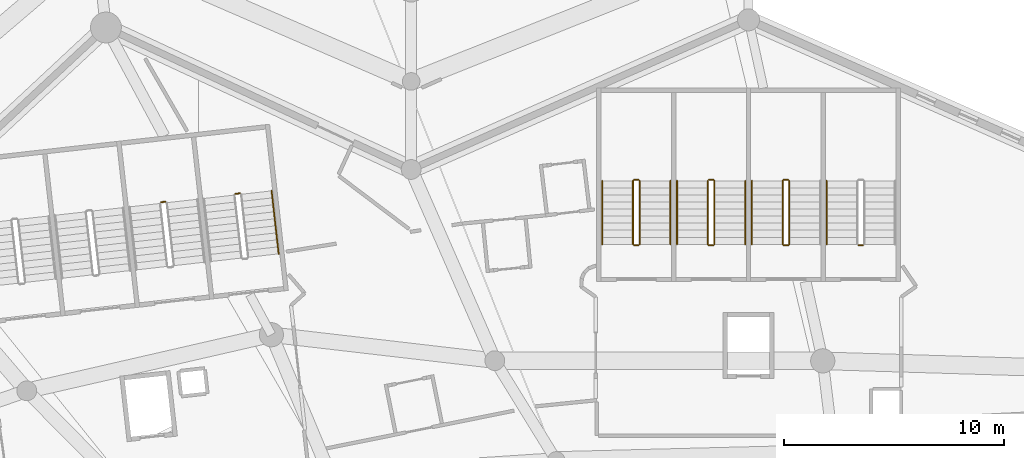
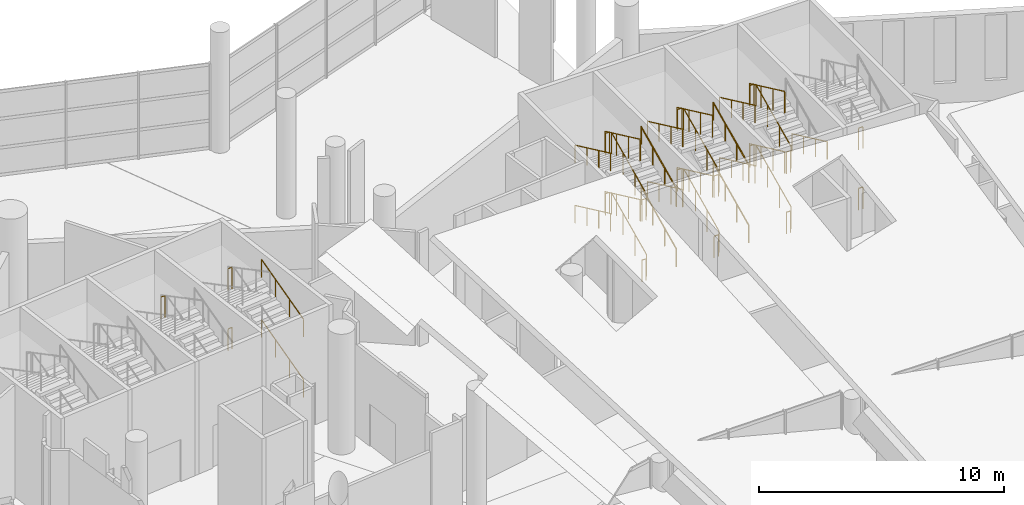
# One storey, part 237 of 249: 42 railings.
"""IFC4 building model written with IfcOpenShell, lengths in metres."""

from ifc_helpers import new_model, si_unit, direction, frame, origin, origin_2d, place, context, subcontext, project, spatial, circle, extrude, material, type_object, element, save


model = new_model("IFC4")

# Units and contexts
model_context = context("Model", 3, precision=1e-05, world=origin(), true_north=direction((0.0, 1.0)))
body_context = subcontext(model_context, "Body", "Model", "MODEL_VIEW")
ifc_project = project(units=[si_unit("LENGTHUNIT", "METRE"), si_unit("AREAUNIT", "SQUARE_METRE"), si_unit("VOLUMEUNIT", "CUBIC_METRE"), si_unit("PLANEANGLEUNIT", "RADIAN"), si_unit("MASSUNIT", "GRAM", prefix="KILO")], contexts=[model_context])

# Site, building, storey
site_placement = place(None, origin())
site = spatial("IfcSite", under=ifc_project, at=site_placement, CompositionType="ELEMENT")
building_placement = place(site_placement, origin())
building = spatial("IfcBuilding", under=site, at=building_placement, Name="Meseta Stadium", CompositionType="ELEMENT")
storey_placement = place(building_placement, frame((0.0, 0.0, 12.0)))
storey = spatial("IfcBuildingStorey", under=building, at=storey_placement, Name="L02", CompositionType="ELEMENT", Elevation=12.0)

# Railings
ifc_material_1 = material(Name="Steel S355", Category="steel")
railing_type_1 = type_object("IfcRailingType", Name="Stair guard 1100", PredefinedType="GUARDRAIL", material=ifc_material_1)
for number, where, name in (
    (1, (-17.800048828125, 95.14990234375, 3.0), "ST41 L02 guard 4"),
    (2, (-17.800048828125, 95.14990234375, 0.0), "ST41 L02 guard 8"),
):
    element("IfcRailing", number, at=place(storey_placement, frame(where)), inside=storey, type_object=railing_type_1, Name=name, PredefinedType="GUARDRAIL", context=body_context, shape_type="SweptSolid", body=[
        extrude(circle(Radius=0.02392578125, at=origin_2d()), frame((0.0, 0.0, 1.076171875), z_axis=(-1.0, 0.0, 0.0), x_axis=(0.0, -1.0, 0.0)), (0.0, 0.0, 1.0), 0.199951171875),
        extrude(circle(Radius=0.02099609375, at=origin_2d()), origin(), (0.0, 0.0, 1.0), 1.052001953125),
        extrude(circle(Radius=0.02099609375, at=origin_2d()), frame((-0.199951171875, 0.0, 0.0)), (0.0, 0.0, 1.0), 1.052001953125),
    ])
railing_1_placement = place(storey_placement, frame((-21.14990234375, 95.199951171875, 0.14990234375)))
element("IfcRailing", 3, at=railing_1_placement, inside=storey, type_object=railing_type_1, Name="ST42 L02 guard 1", PredefinedType="GUARDRAIL", context=body_context, shape_type="SweptSolid", body=[
    extrude(circle(Radius=0.02392578125, at=origin_2d()), frame((0.0, 0.0, 1.076171875), z_axis=(0.0, 0.905454327043, 0.424443708447), x_axis=(-1.0, 0.0, 0.0)), (0.0, 0.0, 1.0), 3.180908203125),
    extrude(circle(Radius=0.02099609375, at=origin_2d()), origin(), (0.0, 0.0, 1.0), 1.052001953125),
    extrude(circle(Radius=0.02099609375, at=origin_2d()), frame((0.0, 0.9599609375, 0.449951171875)), (0.0, 0.0, 1.0), 1.052001953125),
    extrude(circle(Radius=0.02099609375, at=origin_2d()), frame((0.0, 1.920166015625, 0.900146484375)), (0.0, 0.0, 1.0), 1.052001953125),
    extrude(circle(Radius=0.02099609375, at=origin_2d()), frame((0.0, 2.880126953125, 1.35009765625)), (0.0, 0.0, 1.0), 1.052001953125),
])
railing_2_placement = place(storey_placement, frame((-21.199951171875, 98.1298828125, 1.5)))
element("IfcRailing", 4, at=railing_2_placement, inside=storey, type_object=railing_type_1, Name="ST42 L02 guard 2", PredefinedType="GUARDRAIL", context=body_context, shape_type="SweptSolid", body=[
    extrude(circle(Radius=0.02392578125, at=origin_2d()), frame((0.0, 0.0, 1.076171875), z_axis=(-1.0, 0.0, 0.0), x_axis=(0.0, -1.0, 0.0)), (0.0, 0.0, 1.0), 0.199951171875),
    extrude(circle(Radius=0.02099609375, at=origin_2d()), origin(), (0.0, 0.0, 1.0), 1.052001953125),
    extrude(circle(Radius=0.02099609375, at=origin_2d()), frame((-0.199951171875, 0.0, 0.0)), (0.0, 0.0, 1.0), 1.052001953125),
])
railing_3_placement = place(storey_placement, frame((-21.449951171875, 98.080078125, 1.64990234375)))
element("IfcRailing", 5, at=railing_3_placement, inside=storey, type_object=railing_type_1, Name="ST42 L02 guard 3", PredefinedType="GUARDRAIL", context=body_context, shape_type="SweptSolid", body=[
    extrude(circle(Radius=0.02392578125, at=origin_2d()), frame((0.0, 0.0, 1.076171875), z_axis=(0.0, -0.905454327043, 0.424443708447), x_axis=(1.0, 0.0, 0.0)), (0.0, 0.0, 1.0), 3.180908203125),
    extrude(circle(Radius=0.02099609375, at=origin_2d()), origin(), (0.0, 0.0, 1.0), 1.052001953125),
    extrude(circle(Radius=0.02099609375, at=origin_2d()), frame((0.0, -0.9599609375, 0.449951171875)), (0.0, 0.0, 1.0), 1.052001953125),
    extrude(circle(Radius=0.02099609375, at=origin_2d()), frame((0.0, -1.920166015625, 0.900146484375)), (0.0, 0.0, 1.0), 1.052001953125),
    extrude(circle(Radius=0.02099609375, at=origin_2d()), frame((0.0, -2.880126953125, 1.35009765625)), (0.0, 0.0, 1.0), 1.052001953125),
])
railing_4_placement = place(storey_placement, frame((-21.199951171875, 95.14990234375, 3.0)))
element("IfcRailing", 6, at=railing_4_placement, inside=storey, type_object=railing_type_1, Name="ST42 L02 guard 4", PredefinedType="GUARDRAIL", context=body_context, shape_type="SweptSolid", body=[
    extrude(circle(Radius=0.02392578125, at=origin_2d()), frame((0.0, 0.0, 1.076171875), z_axis=(-1.0, 0.0, 0.0), x_axis=(0.0, -1.0, 0.0)), (0.0, 0.0, 1.0), 0.199951171875),
    extrude(circle(Radius=0.02099609375, at=origin_2d()), origin(), (0.0, 0.0, 1.0), 1.052001953125),
    extrude(circle(Radius=0.02099609375, at=origin_2d()), frame((-0.199951171875, 0.0, 0.0)), (0.0, 0.0, 1.0), 1.052001953125),
])
railing_5_placement = place(storey_placement, frame((-21.14990234375, 95.199951171875, 3.14990234375)))
element("IfcRailing", 7, at=railing_5_placement, inside=storey, type_object=railing_type_1, Name="ST42 L02 guard 5", PredefinedType="GUARDRAIL", context=body_context, shape_type="SweptSolid", body=[
    extrude(circle(Radius=0.02392578125, at=origin_2d()), frame((0.0, 0.0, 1.076171875), z_axis=(0.0, 0.905454327043, 0.424443708447), x_axis=(-1.0, 0.0, 0.0)), (0.0, 0.0, 1.0), 3.180908203125),
    extrude(circle(Radius=0.02099609375, at=origin_2d()), origin(), (0.0, 0.0, 1.0), 1.052001953125),
    extrude(circle(Radius=0.02099609375, at=origin_2d()), frame((0.0, 0.9599609375, 0.449951171875)), (0.0, 0.0, 1.0), 1.052001953125),
    extrude(circle(Radius=0.02099609375, at=origin_2d()), frame((0.0, 1.920166015625, 0.900146484375)), (0.0, 0.0, 1.0), 1.052001953125),
    extrude(circle(Radius=0.02099609375, at=origin_2d()), frame((0.0, 2.880126953125, 1.35009765625)), (0.0, 0.0, 1.0), 1.052001953125),
])
railing_6_placement = place(storey_placement, frame((-21.199951171875, 98.1298828125, 4.5)))
element("IfcRailing", 8, at=railing_6_placement, inside=storey, type_object=railing_type_1, Name="ST42 L02 guard 6", PredefinedType="GUARDRAIL", context=body_context, shape_type="SweptSolid", body=[
    extrude(circle(Radius=0.02392578125, at=origin_2d()), frame((0.0, 0.0, 1.076171875), z_axis=(-1.0, 0.0, 0.0), x_axis=(0.0, -1.0, 0.0)), (0.0, 0.0, 1.0), 0.199951171875),
    extrude(circle(Radius=0.02099609375, at=origin_2d()), origin(), (0.0, 0.0, 1.0), 1.052001953125),
    extrude(circle(Radius=0.02099609375, at=origin_2d()), frame((-0.199951171875, 0.0, 0.0)), (0.0, 0.0, 1.0), 1.052001953125),
])
railing_7_placement = place(storey_placement, frame((-21.449951171875, 98.080078125, 4.64990234375)))
element("IfcRailing", 9, at=railing_7_placement, inside=storey, type_object=railing_type_1, Name="ST42 L02 guard 7", PredefinedType="GUARDRAIL", context=body_context, shape_type="SweptSolid", body=[
    extrude(circle(Radius=0.02392578125, at=origin_2d()), frame((0.0, 0.0, 1.076171875), z_axis=(0.0, -0.905454327043, 0.424443708447), x_axis=(1.0, 0.0, 0.0)), (0.0, 0.0, 1.0), 3.180908203125),
    extrude(circle(Radius=0.02099609375, at=origin_2d()), origin(), (0.0, 0.0, 1.0), 1.052001953125),
    extrude(circle(Radius=0.02099609375, at=origin_2d()), frame((0.0, -0.9599609375, 0.449951171875)), (0.0, 0.0, 1.0), 1.052001953125),
    extrude(circle(Radius=0.02099609375, at=origin_2d()), frame((0.0, -1.920166015625, 0.900146484375)), (0.0, 0.0, 1.0), 1.052001953125),
    extrude(circle(Radius=0.02099609375, at=origin_2d()), frame((0.0, -2.880126953125, 1.35009765625)), (0.0, 0.0, 1.0), 1.052001953125),
])
railing_8_placement = place(storey_placement, frame((-21.199951171875, 95.14990234375, 0.0)))
element("IfcRailing", 10, at=railing_8_placement, inside=storey, type_object=railing_type_1, Name="ST42 L02 guard 8", PredefinedType="GUARDRAIL", context=body_context, shape_type="SweptSolid", body=[
    extrude(circle(Radius=0.02392578125, at=origin_2d()), frame((0.0, 0.0, 1.076171875), z_axis=(-1.0, 0.0, 0.0), x_axis=(0.0, -1.0, 0.0)), (0.0, 0.0, 1.0), 0.199951171875),
    extrude(circle(Radius=0.02099609375, at=origin_2d()), origin(), (0.0, 0.0, 1.0), 1.052001953125),
    extrude(circle(Radius=0.02099609375, at=origin_2d()), frame((-0.199951171875, 0.0, 0.0)), (0.0, 0.0, 1.0), 1.052001953125),
])
railing_9_placement = place(storey_placement, frame((-24.550048828125, 95.199951171875, 0.14990234375)))
element("IfcRailing", 11, at=railing_9_placement, inside=storey, type_object=railing_type_1, Name="ST43 L02 guard 1", PredefinedType="GUARDRAIL", context=body_context, shape_type="SweptSolid", body=[
    extrude(circle(Radius=0.02392578125, at=origin_2d()), frame((0.0, 0.0, 1.076171875), z_axis=(0.0, 0.905454327043, 0.424443708447), x_axis=(-1.0, 0.0, 0.0)), (0.0, 0.0, 1.0), 3.180908203125),
    extrude(circle(Radius=0.02099609375, at=origin_2d()), origin(), (0.0, 0.0, 1.0), 1.052001953125),
    extrude(circle(Radius=0.02099609375, at=origin_2d()), frame((0.0, 0.9599609375, 0.449951171875)), (0.0, 0.0, 1.0), 1.052001953125),
    extrude(circle(Radius=0.02099609375, at=origin_2d()), frame((0.0, 1.920166015625, 0.900146484375)), (0.0, 0.0, 1.0), 1.052001953125),
    extrude(circle(Radius=0.02099609375, at=origin_2d()), frame((0.0, 2.880126953125, 1.35009765625)), (0.0, 0.0, 1.0), 1.052001953125),
])
railing_10_placement = place(storey_placement, frame((-24.60009765625, 98.1298828125, 1.5)))
element("IfcRailing", 12, at=railing_10_placement, inside=storey, type_object=railing_type_1, Name="ST43 L02 guard 2", PredefinedType="GUARDRAIL", context=body_context, shape_type="SweptSolid", body=[
    extrude(circle(Radius=0.02392578125, at=origin_2d()), frame((0.0, 0.0, 1.076171875), z_axis=(-1.0, 0.0, 0.0), x_axis=(0.0, -1.0, 0.0)), (0.0, 0.0, 1.0), 0.199951171875),
    extrude(circle(Radius=0.02099609375, at=origin_2d()), origin(), (0.0, 0.0, 1.0), 1.052001953125),
    extrude(circle(Radius=0.02099609375, at=origin_2d()), frame((-0.199951171875, 0.0, 0.0)), (0.0, 0.0, 1.0), 1.052001953125),
])
railing_11_placement = place(storey_placement, frame((-24.85009765625, 98.080078125, 1.64990234375)))
element("IfcRailing", 13, at=railing_11_placement, inside=storey, type_object=railing_type_1, Name="ST43 L02 guard 3", PredefinedType="GUARDRAIL", context=body_context, shape_type="SweptSolid", body=[
    extrude(circle(Radius=0.02392578125, at=origin_2d()), frame((0.0, 0.0, 1.076171875), z_axis=(0.0, -0.905454327043, 0.424443708447), x_axis=(1.0, 0.0, 0.0)), (0.0, 0.0, 1.0), 3.180908203125),
    extrude(circle(Radius=0.02099609375, at=origin_2d()), origin(), (0.0, 0.0, 1.0), 1.052001953125),
    extrude(circle(Radius=0.02099609375, at=origin_2d()), frame((0.0, -0.9599609375, 0.449951171875)), (0.0, 0.0, 1.0), 1.052001953125),
    extrude(circle(Radius=0.02099609375, at=origin_2d()), frame((0.0, -1.920166015625, 0.900146484375)), (0.0, 0.0, 1.0), 1.052001953125),
    extrude(circle(Radius=0.02099609375, at=origin_2d()), frame((0.0, -2.880126953125, 1.35009765625)), (0.0, 0.0, 1.0), 1.052001953125),
])
railing_12_placement = place(storey_placement, frame((-24.60009765625, 95.14990234375, 3.0)))
element("IfcRailing", 14, at=railing_12_placement, inside=storey, type_object=railing_type_1, Name="ST43 L02 guard 4", PredefinedType="GUARDRAIL", context=body_context, shape_type="SweptSolid", body=[
    extrude(circle(Radius=0.02392578125, at=origin_2d()), frame((0.0, 0.0, 1.076171875), z_axis=(-1.0, 0.0, 0.0), x_axis=(0.0, -1.0, 0.0)), (0.0, 0.0, 1.0), 0.199951171875),
    extrude(circle(Radius=0.02099609375, at=origin_2d()), origin(), (0.0, 0.0, 1.0), 1.052001953125),
    extrude(circle(Radius=0.02099609375, at=origin_2d()), frame((-0.199951171875, 0.0, 0.0)), (0.0, 0.0, 1.0), 1.052001953125),
])
railing_13_placement = place(storey_placement, frame((-24.550048828125, 95.199951171875, 3.14990234375)))
element("IfcRailing", 15, at=railing_13_placement, inside=storey, type_object=railing_type_1, Name="ST43 L02 guard 5", PredefinedType="GUARDRAIL", context=body_context, shape_type="SweptSolid", body=[
    extrude(circle(Radius=0.02392578125, at=origin_2d()), frame((0.0, 0.0, 1.076171875), z_axis=(0.0, 0.905454327043, 0.424443708447), x_axis=(-1.0, 0.0, 0.0)), (0.0, 0.0, 1.0), 3.180908203125),
    extrude(circle(Radius=0.02099609375, at=origin_2d()), origin(), (0.0, 0.0, 1.0), 1.052001953125),
    extrude(circle(Radius=0.02099609375, at=origin_2d()), frame((0.0, 0.9599609375, 0.449951171875)), (0.0, 0.0, 1.0), 1.052001953125),
    extrude(circle(Radius=0.02099609375, at=origin_2d()), frame((0.0, 1.920166015625, 0.900146484375)), (0.0, 0.0, 1.0), 1.052001953125),
    extrude(circle(Radius=0.02099609375, at=origin_2d()), frame((0.0, 2.880126953125, 1.35009765625)), (0.0, 0.0, 1.0), 1.052001953125),
])
railing_14_placement = place(storey_placement, frame((-24.60009765625, 98.1298828125, 4.5)))
element("IfcRailing", 16, at=railing_14_placement, inside=storey, type_object=railing_type_1, Name="ST43 L02 guard 6", PredefinedType="GUARDRAIL", context=body_context, shape_type="SweptSolid", body=[
    extrude(circle(Radius=0.02392578125, at=origin_2d()), frame((0.0, 0.0, 1.076171875), z_axis=(-1.0, 0.0, 0.0), x_axis=(0.0, -1.0, 0.0)), (0.0, 0.0, 1.0), 0.199951171875),
    extrude(circle(Radius=0.02099609375, at=origin_2d()), origin(), (0.0, 0.0, 1.0), 1.052001953125),
    extrude(circle(Radius=0.02099609375, at=origin_2d()), frame((-0.199951171875, 0.0, 0.0)), (0.0, 0.0, 1.0), 1.052001953125),
])
railing_15_placement = place(storey_placement, frame((-24.85009765625, 98.080078125, 4.64990234375)))
element("IfcRailing", 17, at=railing_15_placement, inside=storey, type_object=railing_type_1, Name="ST43 L02 guard 7", PredefinedType="GUARDRAIL", context=body_context, shape_type="SweptSolid", body=[
    extrude(circle(Radius=0.02392578125, at=origin_2d()), frame((0.0, 0.0, 1.076171875), z_axis=(0.0, -0.905454327043, 0.424443708447), x_axis=(1.0, 0.0, 0.0)), (0.0, 0.0, 1.0), 3.180908203125),
    extrude(circle(Radius=0.02099609375, at=origin_2d()), origin(), (0.0, 0.0, 1.0), 1.052001953125),
    extrude(circle(Radius=0.02099609375, at=origin_2d()), frame((0.0, -0.9599609375, 0.449951171875)), (0.0, 0.0, 1.0), 1.052001953125),
    extrude(circle(Radius=0.02099609375, at=origin_2d()), frame((0.0, -1.920166015625, 0.900146484375)), (0.0, 0.0, 1.0), 1.052001953125),
    extrude(circle(Radius=0.02099609375, at=origin_2d()), frame((0.0, -2.880126953125, 1.35009765625)), (0.0, 0.0, 1.0), 1.052001953125),
])
railing_16_placement = place(storey_placement, frame((-24.60009765625, 95.14990234375, 0.0)))
element("IfcRailing", 18, at=railing_16_placement, inside=storey, type_object=railing_type_1, Name="ST43 L02 guard 8", PredefinedType="GUARDRAIL", context=body_context, shape_type="SweptSolid", body=[
    extrude(circle(Radius=0.02392578125, at=origin_2d()), frame((0.0, 0.0, 1.076171875), z_axis=(-1.0, 0.0, 0.0), x_axis=(0.0, -1.0, 0.0)), (0.0, 0.0, 1.0), 0.199951171875),
    extrude(circle(Radius=0.02099609375, at=origin_2d()), origin(), (0.0, 0.0, 1.0), 1.052001953125),
    extrude(circle(Radius=0.02099609375, at=origin_2d()), frame((-0.199951171875, 0.0, 0.0)), (0.0, 0.0, 1.0), 1.052001953125),
])
railing_17_placement = place(storey_placement, frame((-27.949951171875, 95.199951171875, 0.14990234375)))
element("IfcRailing", 19, at=railing_17_placement, inside=storey, type_object=railing_type_1, Name="ST44 L02 guard 1", PredefinedType="GUARDRAIL", context=body_context, shape_type="SweptSolid", body=[
    extrude(circle(Radius=0.02392578125, at=origin_2d()), frame((0.0, 0.0, 1.076171875), z_axis=(0.0, 0.905454327043, 0.424443708447), x_axis=(-1.0, 0.0, 0.0)), (0.0, 0.0, 1.0), 3.180908203125),
    extrude(circle(Radius=0.02099609375, at=origin_2d()), origin(), (0.0, 0.0, 1.0), 1.052001953125),
    extrude(circle(Radius=0.02099609375, at=origin_2d()), frame((0.0, 0.9599609375, 0.449951171875)), (0.0, 0.0, 1.0), 1.052001953125),
    extrude(circle(Radius=0.02099609375, at=origin_2d()), frame((0.0, 1.920166015625, 0.900146484375)), (0.0, 0.0, 1.0), 1.052001953125),
    extrude(circle(Radius=0.02099609375, at=origin_2d()), frame((0.0, 2.880126953125, 1.35009765625)), (0.0, 0.0, 1.0), 1.052001953125),
])
railing_18_placement = place(storey_placement, frame((-28.0, 98.1298828125, 1.5)))
element("IfcRailing", 20, at=railing_18_placement, inside=storey, type_object=railing_type_1, Name="ST44 L02 guard 2", PredefinedType="GUARDRAIL", context=body_context, shape_type="SweptSolid", body=[
    extrude(circle(Radius=0.02392578125, at=origin_2d()), frame((0.0, 0.0, 1.076171875), z_axis=(-1.0, 0.0, 0.0), x_axis=(0.0, -1.0, 0.0)), (0.0, 0.0, 1.0), 0.199951171875),
    extrude(circle(Radius=0.02099609375, at=origin_2d()), origin(), (0.0, 0.0, 1.0), 1.052001953125),
    extrude(circle(Radius=0.02099609375, at=origin_2d()), frame((-0.199951171875, 0.0, 0.0)), (0.0, 0.0, 1.0), 1.052001953125),
])
railing_19_placement = place(storey_placement, frame((-28.25, 98.080078125, 1.64990234375)))
element("IfcRailing", 21, at=railing_19_placement, inside=storey, type_object=railing_type_1, Name="ST44 L02 guard 3", PredefinedType="GUARDRAIL", context=body_context, shape_type="SweptSolid", body=[
    extrude(circle(Radius=0.02392578125, at=origin_2d()), frame((0.0, 0.0, 1.076171875), z_axis=(0.0, -0.905454327043, 0.424443708447), x_axis=(1.0, 0.0, 0.0)), (0.0, 0.0, 1.0), 3.180908203125),
    extrude(circle(Radius=0.02099609375, at=origin_2d()), origin(), (0.0, 0.0, 1.0), 1.052001953125),
    extrude(circle(Radius=0.02099609375, at=origin_2d()), frame((0.0, -0.9599609375, 0.449951171875)), (0.0, 0.0, 1.0), 1.052001953125),
    extrude(circle(Radius=0.02099609375, at=origin_2d()), frame((0.0, -1.920166015625, 0.900146484375)), (0.0, 0.0, 1.0), 1.052001953125),
    extrude(circle(Radius=0.02099609375, at=origin_2d()), frame((0.0, -2.880126953125, 1.35009765625)), (0.0, 0.0, 1.0), 1.052001953125),
])
railing_20_placement = place(storey_placement, frame((-28.0, 95.14990234375, 3.0)))
element("IfcRailing", 22, at=railing_20_placement, inside=storey, type_object=railing_type_1, Name="ST44 L02 guard 4", PredefinedType="GUARDRAIL", context=body_context, shape_type="SweptSolid", body=[
    extrude(circle(Radius=0.02392578125, at=origin_2d()), frame((0.0, 0.0, 1.076171875), z_axis=(-1.0, 0.0, 0.0), x_axis=(0.0, -1.0, 0.0)), (0.0, 0.0, 1.0), 0.199951171875),
    extrude(circle(Radius=0.02099609375, at=origin_2d()), origin(), (0.0, 0.0, 1.0), 1.052001953125),
    extrude(circle(Radius=0.02099609375, at=origin_2d()), frame((-0.199951171875, 0.0, 0.0)), (0.0, 0.0, 1.0), 1.052001953125),
])
railing_21_placement = place(storey_placement, frame((-27.949951171875, 95.199951171875, 3.14990234375)))
element("IfcRailing", 23, at=railing_21_placement, inside=storey, type_object=railing_type_1, Name="ST44 L02 guard 5", PredefinedType="GUARDRAIL", context=body_context, shape_type="SweptSolid", body=[
    extrude(circle(Radius=0.02392578125, at=origin_2d()), frame((0.0, 0.0, 1.076171875), z_axis=(0.0, 0.905454327043, 0.424443708447), x_axis=(-1.0, 0.0, 0.0)), (0.0, 0.0, 1.0), 3.180908203125),
    extrude(circle(Radius=0.02099609375, at=origin_2d()), origin(), (0.0, 0.0, 1.0), 1.052001953125),
    extrude(circle(Radius=0.02099609375, at=origin_2d()), frame((0.0, 0.9599609375, 0.449951171875)), (0.0, 0.0, 1.0), 1.052001953125),
    extrude(circle(Radius=0.02099609375, at=origin_2d()), frame((0.0, 1.920166015625, 0.900146484375)), (0.0, 0.0, 1.0), 1.052001953125),
    extrude(circle(Radius=0.02099609375, at=origin_2d()), frame((0.0, 2.880126953125, 1.35009765625)), (0.0, 0.0, 1.0), 1.052001953125),
])
railing_22_placement = place(storey_placement, frame((-28.0, 98.1298828125, 4.5)))
element("IfcRailing", 24, at=railing_22_placement, inside=storey, type_object=railing_type_1, Name="ST44 L02 guard 6", PredefinedType="GUARDRAIL", context=body_context, shape_type="SweptSolid", body=[
    extrude(circle(Radius=0.02392578125, at=origin_2d()), frame((0.0, 0.0, 1.076171875), z_axis=(-1.0, 0.0, 0.0), x_axis=(0.0, -1.0, 0.0)), (0.0, 0.0, 1.0), 0.199951171875),
    extrude(circle(Radius=0.02099609375, at=origin_2d()), origin(), (0.0, 0.0, 1.0), 1.052001953125),
    extrude(circle(Radius=0.02099609375, at=origin_2d()), frame((-0.199951171875, 0.0, 0.0)), (0.0, 0.0, 1.0), 1.052001953125),
])
railing_23_placement = place(storey_placement, frame((-28.25, 98.080078125, 4.64990234375)))
element("IfcRailing", 25, at=railing_23_placement, inside=storey, type_object=railing_type_1, Name="ST44 L02 guard 7", PredefinedType="GUARDRAIL", context=body_context, shape_type="SweptSolid", body=[
    extrude(circle(Radius=0.02392578125, at=origin_2d()), frame((0.0, 0.0, 1.076171875), z_axis=(0.0, -0.905454327043, 0.424443708447), x_axis=(1.0, 0.0, 0.0)), (0.0, 0.0, 1.0), 3.180908203125),
    extrude(circle(Radius=0.02099609375, at=origin_2d()), origin(), (0.0, 0.0, 1.0), 1.052001953125),
    extrude(circle(Radius=0.02099609375, at=origin_2d()), frame((0.0, -0.9599609375, 0.449951171875)), (0.0, 0.0, 1.0), 1.052001953125),
    extrude(circle(Radius=0.02099609375, at=origin_2d()), frame((0.0, -1.920166015625, 0.900146484375)), (0.0, 0.0, 1.0), 1.052001953125),
    extrude(circle(Radius=0.02099609375, at=origin_2d()), frame((0.0, -2.880126953125, 1.35009765625)), (0.0, 0.0, 1.0), 1.052001953125),
])
railing_24_placement = place(storey_placement, frame((-28.0, 95.14990234375, 0.0)))
element("IfcRailing", 26, at=railing_24_placement, inside=storey, type_object=railing_type_1, Name="ST44 L02 guard 8", PredefinedType="GUARDRAIL", context=body_context, shape_type="SweptSolid", body=[
    extrude(circle(Radius=0.02392578125, at=origin_2d()), frame((0.0, 0.0, 1.076171875), z_axis=(-1.0, 0.0, 0.0), x_axis=(0.0, -1.0, 0.0)), (0.0, 0.0, 1.0), 0.199951171875),
    extrude(circle(Radius=0.02099609375, at=origin_2d()), origin(), (0.0, 0.0, 1.0), 1.052001953125),
    extrude(circle(Radius=0.02099609375, at=origin_2d()), frame((-0.199951171875, 0.0, 0.0)), (0.0, 0.0, 1.0), 1.052001953125),
])
for number, where, name in (
    (27, (-46.120849609375, 97.51513671875, 1.5), "ST45 L02 guard 2"),
    (28, (-46.120849609375, 97.51513671875, 4.5), "ST45 L02 guard 6"),
):
    element("IfcRailing", number, at=place(storey_placement, frame(where)), inside=storey, type_object=railing_type_1, Name=name, PredefinedType="GUARDRAIL", context=body_context, shape_type="SweptSolid", body=[
        extrude(circle(Radius=0.02392578125, at=origin_2d()), frame((0.0, 0.0, 1.076171875), z_axis=(-0.993809063983, -0.111101504696, 0.0), x_axis=(0.111101504696, -0.993809063983, 0.0)), (0.0, 0.0, 1.0), 0.199951171875),
        extrude(circle(Radius=0.02099609375, at=origin_2d()), origin(), (0.0, 0.0, 1.0), 1.052001953125),
        extrude(circle(Radius=0.02099609375, at=origin_2d()), frame((-0.19873046875, -0.022216796875, 0.0)), (0.0, 0.0, 1.0), 1.052001953125),
    ])
railing_25_placement = place(storey_placement, frame((-49.49951171875, 97.134521484375, 4.5)))
element("IfcRailing", 29, at=railing_25_placement, inside=storey, type_object=railing_type_1, Name="ST46 L02 guard 6", PredefinedType="GUARDRAIL", context=body_context, shape_type="SweptSolid", body=[
    extrude(circle(Radius=0.02392578125, at=origin_2d()), frame((0.0, 0.0, 1.076171875), z_axis=(-0.993673547442, -0.112307083986, 0.0), x_axis=(0.112307083986, -0.993673547442, 0.0)), (0.0, 0.0, 1.0), 0.199951171875),
    extrude(circle(Radius=0.02099609375, at=origin_2d()), origin(), (0.0, 0.0, 1.0), 1.052001953125),
    extrude(circle(Radius=0.02099609375, at=origin_2d()), frame((-0.19873046875, -0.0224609375, 0.0)), (0.0, 0.0, 1.0), 1.052001953125),
])
ifc_material_2 = material(Name="Steel S355", Category="steel")
railing_type_2 = type_object("IfcRailingType", Name="Stair handrail 900", PredefinedType="HANDRAIL", material=ifc_material_2)
for number, where, name in (
    (30, (-19.449951171875, 98.080078125, 1.64990234375), "ST41 L02 handrail 2"),
    (31, (-22.85009765625, 98.080078125, 1.64990234375), "ST42 L02 handrail 2"),
    (32, (-22.85009765625, 98.080078125, 4.64990234375), "ST42 L02 handrail 4"),
):
    element("IfcRailing", number, at=place(storey_placement, frame(where)), inside=storey, type_object=railing_type_2, Name=name, PredefinedType="HANDRAIL", context=body_context, shape_type="SweptSolid", body=[
        extrude(circle(Radius=0.02392578125, at=origin_2d()), frame((0.0, 0.0, 0.8759765625), z_axis=(0.0, -0.905454327043, 0.424443708447), x_axis=(1.0, 0.0, 0.0)), (0.0, 0.0, 1.0), 3.180908203125),
        extrude(circle(Radius=0.02099609375, at=origin_2d()), origin(), (0.0, 0.0, 1.0), 0.851806640625),
        extrude(circle(Radius=0.02099609375, at=origin_2d()), frame((0.0, -0.9599609375, 0.449951171875)), (0.0, 0.0, 1.0), 0.851806640625),
        extrude(circle(Radius=0.02099609375, at=origin_2d()), frame((0.0, -1.920166015625, 0.900146484375)), (0.0, 0.0, 1.0), 0.851806640625),
        extrude(circle(Radius=0.02099609375, at=origin_2d()), frame((0.0, -2.880126953125, 1.35009765625)), (0.0, 0.0, 1.0), 0.851806640625),
    ])
railing_26_placement = place(storey_placement, frame((-23.14990234375, 95.199951171875, 0.14990234375)))
element("IfcRailing", 33, at=railing_26_placement, inside=storey, type_object=railing_type_2, Name="ST43 L02 handrail 1", PredefinedType="HANDRAIL", context=body_context, shape_type="SweptSolid", body=[
    extrude(circle(Radius=0.02392578125, at=origin_2d()), frame((0.0, 0.0, 0.8759765625), z_axis=(0.0, 0.905454327043, 0.424443708447), x_axis=(-1.0, 0.0, 0.0)), (0.0, 0.0, 1.0), 3.180908203125),
    extrude(circle(Radius=0.02099609375, at=origin_2d()), origin(), (0.0, 0.0, 1.0), 0.851806640625),
    extrude(circle(Radius=0.02099609375, at=origin_2d()), frame((0.0, 0.9599609375, 0.449951171875)), (0.0, 0.0, 1.0), 0.851806640625),
    extrude(circle(Radius=0.02099609375, at=origin_2d()), frame((0.0, 1.920166015625, 0.900146484375)), (0.0, 0.0, 1.0), 0.851806640625),
    extrude(circle(Radius=0.02099609375, at=origin_2d()), frame((0.0, 2.880126953125, 1.35009765625)), (0.0, 0.0, 1.0), 0.851806640625),
])
railing_27_placement = place(storey_placement, frame((-26.25, 98.080078125, 1.64990234375)))
element("IfcRailing", 34, at=railing_27_placement, inside=storey, type_object=railing_type_2, Name="ST43 L02 handrail 2", PredefinedType="HANDRAIL", context=body_context, shape_type="SweptSolid", body=[
    extrude(circle(Radius=0.02392578125, at=origin_2d()), frame((0.0, 0.0, 0.8759765625), z_axis=(0.0, -0.905454327043, 0.424443708447), x_axis=(1.0, 0.0, 0.0)), (0.0, 0.0, 1.0), 3.180908203125),
    extrude(circle(Radius=0.02099609375, at=origin_2d()), origin(), (0.0, 0.0, 1.0), 0.851806640625),
    extrude(circle(Radius=0.02099609375, at=origin_2d()), frame((0.0, -0.9599609375, 0.449951171875)), (0.0, 0.0, 1.0), 0.851806640625),
    extrude(circle(Radius=0.02099609375, at=origin_2d()), frame((0.0, -1.920166015625, 0.900146484375)), (0.0, 0.0, 1.0), 0.851806640625),
    extrude(circle(Radius=0.02099609375, at=origin_2d()), frame((0.0, -2.880126953125, 1.35009765625)), (0.0, 0.0, 1.0), 0.851806640625),
])
railing_28_placement = place(storey_placement, frame((-23.14990234375, 95.199951171875, 3.14990234375)))
element("IfcRailing", 35, at=railing_28_placement, inside=storey, type_object=railing_type_2, Name="ST43 L02 handrail 3", PredefinedType="HANDRAIL", context=body_context, shape_type="SweptSolid", body=[
    extrude(circle(Radius=0.02392578125, at=origin_2d()), frame((0.0, 0.0, 0.8759765625), z_axis=(0.0, 0.905454327043, 0.424443708447), x_axis=(-1.0, 0.0, 0.0)), (0.0, 0.0, 1.0), 3.180908203125),
    extrude(circle(Radius=0.02099609375, at=origin_2d()), origin(), (0.0, 0.0, 1.0), 0.851806640625),
    extrude(circle(Radius=0.02099609375, at=origin_2d()), frame((0.0, 0.9599609375, 0.449951171875)), (0.0, 0.0, 1.0), 0.851806640625),
    extrude(circle(Radius=0.02099609375, at=origin_2d()), frame((0.0, 1.920166015625, 0.900146484375)), (0.0, 0.0, 1.0), 0.851806640625),
    extrude(circle(Radius=0.02099609375, at=origin_2d()), frame((0.0, 2.880126953125, 1.35009765625)), (0.0, 0.0, 1.0), 0.851806640625),
])
railing_29_placement = place(storey_placement, frame((-26.25, 98.080078125, 4.64990234375)))
element("IfcRailing", 36, at=railing_29_placement, inside=storey, type_object=railing_type_2, Name="ST43 L02 handrail 4", PredefinedType="HANDRAIL", context=body_context, shape_type="SweptSolid", body=[
    extrude(circle(Radius=0.02392578125, at=origin_2d()), frame((0.0, 0.0, 0.8759765625), z_axis=(0.0, -0.905454327043, 0.424443708447), x_axis=(1.0, 0.0, 0.0)), (0.0, 0.0, 1.0), 3.180908203125),
    extrude(circle(Radius=0.02099609375, at=origin_2d()), origin(), (0.0, 0.0, 1.0), 0.851806640625),
    extrude(circle(Radius=0.02099609375, at=origin_2d()), frame((0.0, -0.9599609375, 0.449951171875)), (0.0, 0.0, 1.0), 0.851806640625),
    extrude(circle(Radius=0.02099609375, at=origin_2d()), frame((0.0, -1.920166015625, 0.900146484375)), (0.0, 0.0, 1.0), 0.851806640625),
    extrude(circle(Radius=0.02099609375, at=origin_2d()), frame((0.0, -2.880126953125, 1.35009765625)), (0.0, 0.0, 1.0), 0.851806640625),
])
railing_30_placement = place(storey_placement, frame((-26.550048828125, 95.199951171875, 0.14990234375)))
element("IfcRailing", 37, at=railing_30_placement, inside=storey, type_object=railing_type_2, Name="ST44 L02 handrail 1", PredefinedType="HANDRAIL", context=body_context, shape_type="SweptSolid", body=[
    extrude(circle(Radius=0.02392578125, at=origin_2d()), frame((0.0, 0.0, 0.8759765625), z_axis=(0.0, 0.905454327043, 0.424443708447), x_axis=(-1.0, 0.0, 0.0)), (0.0, 0.0, 1.0), 3.180908203125),
    extrude(circle(Radius=0.02099609375, at=origin_2d()), origin(), (0.0, 0.0, 1.0), 0.851806640625),
    extrude(circle(Radius=0.02099609375, at=origin_2d()), frame((0.0, 0.9599609375, 0.449951171875)), (0.0, 0.0, 1.0), 0.851806640625),
    extrude(circle(Radius=0.02099609375, at=origin_2d()), frame((0.0, 1.920166015625, 0.900146484375)), (0.0, 0.0, 1.0), 0.851806640625),
    extrude(circle(Radius=0.02099609375, at=origin_2d()), frame((0.0, 2.880126953125, 1.35009765625)), (0.0, 0.0, 1.0), 0.851806640625),
])
railing_31_placement = place(storey_placement, frame((-29.64990234375, 98.080078125, 1.64990234375)))
element("IfcRailing", 38, at=railing_31_placement, inside=storey, type_object=railing_type_2, Name="ST44 L02 handrail 2", PredefinedType="HANDRAIL", context=body_context, shape_type="SweptSolid", body=[
    extrude(circle(Radius=0.02392578125, at=origin_2d()), frame((0.0, 0.0, 0.8759765625), z_axis=(0.0, -0.905454327043, 0.424443708447), x_axis=(1.0, 0.0, 0.0)), (0.0, 0.0, 1.0), 3.180908203125),
    extrude(circle(Radius=0.02099609375, at=origin_2d()), origin(), (0.0, 0.0, 1.0), 0.851806640625),
    extrude(circle(Radius=0.02099609375, at=origin_2d()), frame((0.0, -0.9599609375, 0.449951171875)), (0.0, 0.0, 1.0), 0.851806640625),
    extrude(circle(Radius=0.02099609375, at=origin_2d()), frame((0.0, -1.920166015625, 0.900146484375)), (0.0, 0.0, 1.0), 0.851806640625),
    extrude(circle(Radius=0.02099609375, at=origin_2d()), frame((0.0, -2.880126953125, 1.35009765625)), (0.0, 0.0, 1.0), 0.851806640625),
])
railing_32_placement = place(storey_placement, frame((-26.550048828125, 95.199951171875, 3.14990234375)))
element("IfcRailing", 39, at=railing_32_placement, inside=storey, type_object=railing_type_2, Name="ST44 L02 handrail 3", PredefinedType="HANDRAIL", context=body_context, shape_type="SweptSolid", body=[
    extrude(circle(Radius=0.02392578125, at=origin_2d()), frame((0.0, 0.0, 0.8759765625), z_axis=(0.0, 0.905454327043, 0.424443708447), x_axis=(-1.0, 0.0, 0.0)), (0.0, 0.0, 1.0), 3.180908203125),
    extrude(circle(Radius=0.02099609375, at=origin_2d()), origin(), (0.0, 0.0, 1.0), 0.851806640625),
    extrude(circle(Radius=0.02099609375, at=origin_2d()), frame((0.0, 0.9599609375, 0.449951171875)), (0.0, 0.0, 1.0), 0.851806640625),
    extrude(circle(Radius=0.02099609375, at=origin_2d()), frame((0.0, 1.920166015625, 0.900146484375)), (0.0, 0.0, 1.0), 0.851806640625),
    extrude(circle(Radius=0.02099609375, at=origin_2d()), frame((0.0, 2.880126953125, 1.35009765625)), (0.0, 0.0, 1.0), 0.851806640625),
])
railing_33_placement = place(storey_placement, frame((-29.64990234375, 98.080078125, 4.64990234375)))
element("IfcRailing", 40, at=railing_33_placement, inside=storey, type_object=railing_type_2, Name="ST44 L02 handrail 4", PredefinedType="HANDRAIL", context=body_context, shape_type="SweptSolid", body=[
    extrude(circle(Radius=0.02392578125, at=origin_2d()), frame((0.0, 0.0, 0.8759765625), z_axis=(0.0, -0.905454327043, 0.424443708447), x_axis=(1.0, 0.0, 0.0)), (0.0, 0.0, 1.0), 3.180908203125),
    extrude(circle(Radius=0.02099609375, at=origin_2d()), origin(), (0.0, 0.0, 1.0), 0.851806640625),
    extrude(circle(Radius=0.02099609375, at=origin_2d()), frame((0.0, -0.9599609375, 0.449951171875)), (0.0, 0.0, 1.0), 0.851806640625),
    extrude(circle(Radius=0.02099609375, at=origin_2d()), frame((0.0, -1.920166015625, 0.900146484375)), (0.0, 0.0, 1.0), 0.851806640625),
    extrude(circle(Radius=0.02099609375, at=origin_2d()), frame((0.0, -2.880126953125, 1.35009765625)), (0.0, 0.0, 1.0), 0.851806640625),
])
for number, where, name in (
    (41, (-44.351806640625, 94.76611328125, 0.14990234375), "ST45 L02 handrail 1"),
    (42, (-44.351806640625, 94.76611328125, 3.14990234375), "ST45 L02 handrail 3"),
):
    element("IfcRailing", number, at=place(storey_placement, frame(where)), inside=storey, type_object=railing_type_2, Name=name, PredefinedType="HANDRAIL", context=body_context, shape_type="SweptSolid", body=[
        extrude(circle(Radius=0.02392578125, at=origin_2d()), frame((0.0, 0.0, 0.8759765625), z_axis=(-0.10139626197, 0.899747905232, 0.424467319223), x_axis=(-0.993709872468, -0.111985219376, 0.0)), (0.0, 0.0, 1.0), 3.1806640625),
        extrude(circle(Radius=0.02099609375, at=origin_2d()), origin(), (0.0, 0.0, 1.0), 0.851806640625),
        extrude(circle(Radius=0.02099609375, at=origin_2d()), frame((-0.107421875, 0.953857421875, 0.449951171875)), (0.0, 0.0, 1.0), 0.851806640625),
        extrude(circle(Radius=0.02099609375, at=origin_2d()), frame((-0.215087890625, 1.907958984375, 0.900146484375)), (0.0, 0.0, 1.0), 0.851806640625),
        extrude(circle(Radius=0.02099609375, at=origin_2d()), frame((-0.322509765625, 2.86181640625, 1.35009765625)), (0.0, 0.0, 1.0), 0.851806640625),
    ])

save(model, "model.ifc")
